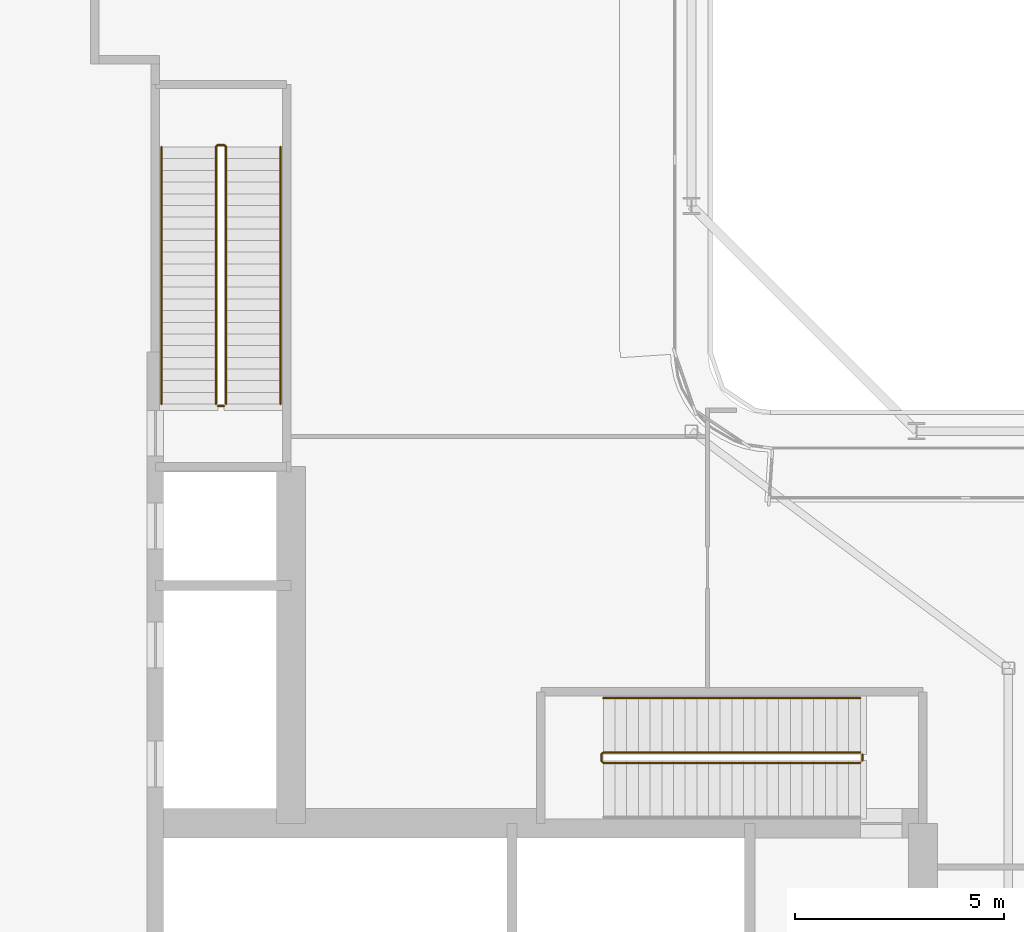
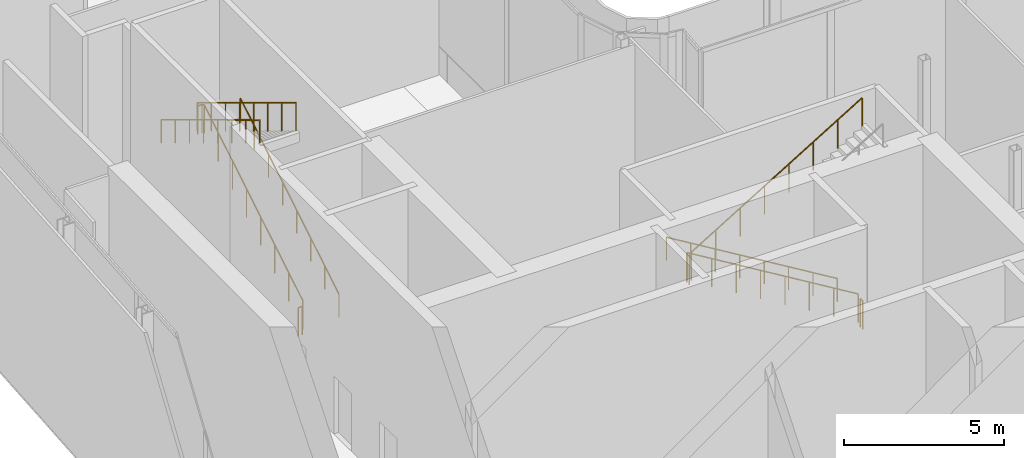
# One storey, part 33 of 38: 7 railings.
"""IFC4 building model written with IfcOpenShell, lengths in metres."""

from ifc_helpers import new_model, si_unit, direction, frame, origin, origin_2d, place, context, subcontext, project, spatial, circle, extrude, material, type_object, element, save


model = new_model("IFC4")

# Units and contexts
model_context = context("Model", 3, precision=1e-05, world=origin(), true_north=direction((0.0, 1.0)))
body_context = subcontext(model_context, "Body", "Model", "MODEL_VIEW")
ifc_project = project(units=[si_unit("LENGTHUNIT", "METRE"), si_unit("AREAUNIT", "SQUARE_METRE"), si_unit("VOLUMEUNIT", "CUBIC_METRE"), si_unit("PLANEANGLEUNIT", "RADIAN"), si_unit("MASSUNIT", "GRAM", prefix="KILO")], contexts=[model_context])

# Site, building, storey
site_placement = place(None, origin())
site = spatial("IfcSite", under=ifc_project, at=site_placement, CompositionType="ELEMENT")
building_placement = place(site_placement, origin())
building = spatial("IfcBuilding", under=site, at=building_placement, Name="Kheshtan School and Residences Tower", CompositionType="ELEMENT")
storey_placement = place(building_placement, frame((0.0, 0.0, 203.300048828125)))
storey = spatial("IfcBuildingStorey", under=building, at=storey_placement, Name="L48", CompositionType="ELEMENT", Elevation=203.300048828125)

# Railings
ifc_material_1 = material(Name="Stainless steel balustrade", Category="steel")
railing_type_1 = type_object("IfcRailingType", Name="Stair guard 1100", PredefinedType="GUARDRAIL", material=ifc_material_1)
railing_1_placement = place(storey_placement, frame((51.64990234375, 37.89990234375, 0.16943359375)))
element("IfcRailing", 1, at=railing_1_placement, inside=storey, type_object=railing_type_1, Name="L48 ST1 stair guard 1", PredefinedType="GUARDRAIL", context=body_context, shape_type="SweptSolid", body=[
    extrude(circle(Radius=0.02392578125, at=origin_2d()), frame((0.0, 0.0, 1.076171875), z_axis=(-0.855370820849, 0.0, 0.518016176234), x_axis=(0.0, -1.0, 0.0)), (0.0, 0.0, 1.0), 7.201416015625),
    extrude(circle(Radius=0.02392578125, at=origin_2d()), frame((-6.159912109375, 0.0, 4.806640625), z_axis=(-0.708833529934, -0.705375805398, 0.0), x_axis=(0.705375805398, -0.708833529934, 0.0)), (0.0, 0.0, 1.0), 0.070556640625),
    extrude(circle(Radius=0.02392578125, at=origin_2d()), frame((-6.2099609375, -0.0498046875, 4.806640625), z_axis=(0.0, -1.0, 0.0), x_axis=(1.0, 0.0, 0.0)), (0.0, 0.0, 1.0), 0.150146484375),
    extrude(circle(Radius=0.02392578125, at=origin_2d()), frame((-6.2099609375, -0.199951171875, 4.806640625), z_axis=(0.272228512635, -0.272228512635, 0.92292105503), x_axis=(0.707106781187, 0.707106781187, 0.0)), (0.0, 0.0, 1.0), 0.183837890625),
    extrude(circle(Radius=0.02392578125, at=origin_2d()), frame((-6.159912109375, -0.25, 4.97607421875), z_axis=(0.855370820849, 0.0, 0.518016176234), x_axis=(0.0, 1.0, 0.0)), (0.0, 0.0, 1.0), 7.201416015625),
    extrude(circle(Radius=0.02099609375, at=origin_2d()), origin(), (0.0, 0.0, 1.0), 1.052001953125),
    extrude(circle(Radius=0.02099609375, at=origin_2d()), frame((-0.8798828125, 0.0, 0.532958984375)), (0.0, 0.0, 1.0), 1.052001953125),
    extrude(circle(Radius=0.02099609375, at=origin_2d()), frame((-1.760009765625, 0.0, 1.06591796875)), (0.0, 0.0, 1.0), 1.052001953125),
    extrude(circle(Radius=0.02099609375, at=origin_2d()), frame((-2.639892578125, 0.0, 1.598876953125)), (0.0, 0.0, 1.0), 1.052001953125),
    extrude(circle(Radius=0.02099609375, at=origin_2d()), frame((-3.52001953125, 0.0, 2.131591796875)), (0.0, 0.0, 1.0), 1.052001953125),
    extrude(circle(Radius=0.02099609375, at=origin_2d()), frame((-4.39990234375, 0.0, 2.66455078125)), (0.0, 0.0, 1.0), 1.052001953125),
    extrude(circle(Radius=0.02099609375, at=origin_2d()), frame((-5.280029296875, 0.0, 3.197509765625)), (0.0, 0.0, 1.0), 1.052001953125),
    extrude(circle(Radius=0.02099609375, at=origin_2d()), frame((-6.159912109375, 0.0, 3.73046875)), (0.0, 0.0, 1.0), 1.052001953125),
    extrude(circle(Radius=0.02099609375, at=origin_2d()), frame((-6.2099609375, -0.0498046875, 3.73046875)), (0.0, 0.0, 1.0), 1.052001953125),
    extrude(circle(Radius=0.02099609375, at=origin_2d()), frame((-6.2099609375, -0.199951171875, 3.73046875)), (0.0, 0.0, 1.0), 1.052001953125),
    extrude(circle(Radius=0.02099609375, at=origin_2d()), frame((-6.159912109375, -0.25, 3.900146484375)), (0.0, 0.0, 1.0), 1.052001953125),
    extrude(circle(Radius=0.02099609375, at=origin_2d()), frame((-5.280029296875, -0.25, 4.43310546875)), (0.0, 0.0, 1.0), 1.052001953125),
    extrude(circle(Radius=0.02099609375, at=origin_2d()), frame((-4.39990234375, -0.25, 4.966064453125)), (0.0, 0.0, 1.0), 1.052001953125),
    extrude(circle(Radius=0.02099609375, at=origin_2d()), frame((-3.52001953125, -0.25, 5.4990234375)), (0.0, 0.0, 1.0), 1.052001953125),
    extrude(circle(Radius=0.02099609375, at=origin_2d()), frame((-2.639892578125, -0.25, 6.03173828125)), (0.0, 0.0, 1.0), 1.052001953125),
    extrude(circle(Radius=0.02099609375, at=origin_2d()), frame((-1.760009765625, -0.25, 6.564697265625)), (0.0, 0.0, 1.0), 1.052001953125),
    extrude(circle(Radius=0.02099609375, at=origin_2d()), frame((-0.8798828125, -0.25, 7.09765625)), (0.0, 0.0, 1.0), 1.052001953125),
    extrude(circle(Radius=0.02099609375, at=origin_2d()), frame((0.0, -0.25, 7.630615234375)), (0.0, 0.0, 1.0), 1.052001953125),
])
railing_2_placement = place(storey_placement, frame((51.699951171875, 37.85009765625, 0.0)))
element("IfcRailing", 2, at=railing_2_placement, inside=storey, type_object=railing_type_1, Name="L48 ST1 stair guard 2", PredefinedType="GUARDRAIL", context=body_context, shape_type="SweptSolid", body=[
    extrude(circle(Radius=0.02392578125, at=origin_2d()), frame((0.0, 0.0, 1.076171875), z_axis=(0.0, -1.0, 0.0), x_axis=(1.0, 0.0, 0.0)), (0.0, 0.0, 1.0), 0.150146484375),
    extrude(circle(Radius=0.02099609375, at=origin_2d()), origin(), (0.0, 0.0, 1.0), 1.052001953125),
    extrude(circle(Radius=0.02099609375, at=origin_2d()), frame((0.0, -0.150146484375, 0.0)), (0.0, 0.0, 1.0), 1.052001953125),
])
railing_3_placement = place(storey_placement, frame((36.449951171875, 46.25, 0.16943359375)))
element("IfcRailing", 3, at=railing_3_placement, inside=storey, type_object=railing_type_1, Name="L48 ST2 stair guard 1", PredefinedType="GUARDRAIL", context=body_context, shape_type="SweptSolid", body=[
    extrude(circle(Radius=0.02392578125, at=origin_2d()), frame((0.0, 0.0, 1.076171875), z_axis=(0.0, 0.855370820849, 0.518016176234), x_axis=(-1.0, 0.0, 0.0)), (0.0, 0.0, 1.0), 7.201416015625),
    extrude(circle(Radius=0.02392578125, at=origin_2d()), frame((0.0, 6.159912109375, 4.806640625), z_axis=(-0.707106781187, 0.707106781187, 0.0), x_axis=(-0.707106781187, -0.707106781187, 0.0)), (0.0, 0.0, 1.0), 0.07080078125),
    extrude(circle(Radius=0.02392578125, at=origin_2d()), frame((-0.050048828125, 6.2099609375, 4.806640625), z_axis=(-1.0, 0.0, 0.0), x_axis=(0.0, -1.0, 0.0)), (0.0, 0.0, 1.0), 0.14990234375),
    extrude(circle(Radius=0.02392578125, at=origin_2d()), frame((-0.199951171875, 6.2099609375, 4.806640625), z_axis=(-0.272228512635, -0.272228512635, 0.92292105503), x_axis=(0.707106781187, -0.707106781187, 0.0)), (0.0, 0.0, 1.0), 0.183837890625),
    extrude(circle(Radius=0.02392578125, at=origin_2d()), frame((-0.25, 6.159912109375, 4.97607421875), z_axis=(0.0, -0.855370820849, 0.518016176234), x_axis=(1.0, 0.0, 0.0)), (0.0, 0.0, 1.0), 7.201416015625),
    extrude(circle(Radius=0.02099609375, at=origin_2d()), origin(), (0.0, 0.0, 1.0), 1.052001953125),
    extrude(circle(Radius=0.02099609375, at=origin_2d()), frame((0.0, 0.8798828125, 0.532958984375)), (0.0, 0.0, 1.0), 1.052001953125),
    extrude(circle(Radius=0.02099609375, at=origin_2d()), frame((0.0, 1.760009765625, 1.06591796875)), (0.0, 0.0, 1.0), 1.052001953125),
    extrude(circle(Radius=0.02099609375, at=origin_2d()), frame((0.0, 2.639892578125, 1.598876953125)), (0.0, 0.0, 1.0), 1.052001953125),
    extrude(circle(Radius=0.02099609375, at=origin_2d()), frame((0.0, 3.52001953125, 2.131591796875)), (0.0, 0.0, 1.0), 1.052001953125),
    extrude(circle(Radius=0.02099609375, at=origin_2d()), frame((0.0, 4.39990234375, 2.66455078125)), (0.0, 0.0, 1.0), 1.052001953125),
    extrude(circle(Radius=0.02099609375, at=origin_2d()), frame((0.0, 5.280029296875, 3.197509765625)), (0.0, 0.0, 1.0), 1.052001953125),
    extrude(circle(Radius=0.02099609375, at=origin_2d()), frame((0.0, 6.159912109375, 3.73046875)), (0.0, 0.0, 1.0), 1.052001953125),
    extrude(circle(Radius=0.02099609375, at=origin_2d()), frame((-0.050048828125, 6.2099609375, 3.73046875)), (0.0, 0.0, 1.0), 1.052001953125),
    extrude(circle(Radius=0.02099609375, at=origin_2d()), frame((-0.199951171875, 6.2099609375, 3.73046875)), (0.0, 0.0, 1.0), 1.052001953125),
    extrude(circle(Radius=0.02099609375, at=origin_2d()), frame((-0.25, 6.159912109375, 3.900146484375)), (0.0, 0.0, 1.0), 1.052001953125),
    extrude(circle(Radius=0.02099609375, at=origin_2d()), frame((-0.25, 5.280029296875, 4.43310546875)), (0.0, 0.0, 1.0), 1.052001953125),
    extrude(circle(Radius=0.02099609375, at=origin_2d()), frame((-0.25, 4.39990234375, 4.966064453125)), (0.0, 0.0, 1.0), 1.052001953125),
    extrude(circle(Radius=0.02099609375, at=origin_2d()), frame((-0.25, 3.52001953125, 5.4990234375)), (0.0, 0.0, 1.0), 1.052001953125),
    extrude(circle(Radius=0.02099609375, at=origin_2d()), frame((-0.25, 2.639892578125, 6.03173828125)), (0.0, 0.0, 1.0), 1.052001953125),
    extrude(circle(Radius=0.02099609375, at=origin_2d()), frame((-0.25, 1.760009765625, 6.564697265625)), (0.0, 0.0, 1.0), 1.052001953125),
    extrude(circle(Radius=0.02099609375, at=origin_2d()), frame((-0.25, 0.8798828125, 7.09765625)), (0.0, 0.0, 1.0), 1.052001953125),
    extrude(circle(Radius=0.02099609375, at=origin_2d()), frame((-0.25, 0.0, 7.630615234375)), (0.0, 0.0, 1.0), 1.052001953125),
])
railing_4_placement = place(storey_placement, frame((36.39990234375, 46.199951171875, 0.0)))
element("IfcRailing", 4, at=railing_4_placement, inside=storey, type_object=railing_type_1, Name="L48 ST2 stair guard 2", PredefinedType="GUARDRAIL", context=body_context, shape_type="SweptSolid", body=[
    extrude(circle(Radius=0.02392578125, at=origin_2d()), frame((0.0, 0.0, 1.076171875), z_axis=(-1.0, 0.0, 0.0), x_axis=(0.0, -1.0, 0.0)), (0.0, 0.0, 1.0), 0.14990234375),
    extrude(circle(Radius=0.02099609375, at=origin_2d()), origin(), (0.0, 0.0, 1.0), 1.052001953125),
    extrude(circle(Radius=0.02099609375, at=origin_2d()), frame((-0.14990234375, 0.0, 0.0)), (0.0, 0.0, 1.0), 1.052001953125),
])
ifc_material_2 = material(Name="Stainless steel handrail", Category="steel")
railing_type_2 = type_object("IfcRailingType", Name="Stair handrail 900", PredefinedType="HANDRAIL", material=ifc_material_2)
railing_5_placement = place(storey_placement, frame((51.64990234375, 39.199951171875, 0.16943359375)))
element("IfcRailing", 5, at=railing_5_placement, inside=storey, type_object=railing_type_2, Name="L48 ST1 stair handrail 1", PredefinedType="HANDRAIL", context=body_context, shape_type="SweptSolid", body=[
    extrude(circle(Radius=0.02392578125, at=origin_2d()), frame((0.0, 0.0, 0.8759765625), z_axis=(-0.855370820849, 0.0, 0.518016176234), x_axis=(0.0, -1.0, 0.0)), (0.0, 0.0, 1.0), 7.201416015625),
    extrude(circle(Radius=0.02099609375, at=origin_2d()), origin(), (0.0, 0.0, 1.0), 0.851806640625),
    extrude(circle(Radius=0.02099609375, at=origin_2d()), frame((-0.8798828125, 0.0, 0.532958984375)), (0.0, 0.0, 1.0), 0.851806640625),
    extrude(circle(Radius=0.02099609375, at=origin_2d()), frame((-1.760009765625, 0.0, 1.06591796875)), (0.0, 0.0, 1.0), 0.851806640625),
    extrude(circle(Radius=0.02099609375, at=origin_2d()), frame((-2.639892578125, 0.0, 1.598876953125)), (0.0, 0.0, 1.0), 0.851806640625),
    extrude(circle(Radius=0.02099609375, at=origin_2d()), frame((-3.52001953125, 0.0, 2.131591796875)), (0.0, 0.0, 1.0), 0.851806640625),
    extrude(circle(Radius=0.02099609375, at=origin_2d()), frame((-4.39990234375, 0.0, 2.66455078125)), (0.0, 0.0, 1.0), 0.851806640625),
    extrude(circle(Radius=0.02099609375, at=origin_2d()), frame((-5.280029296875, 0.0, 3.197509765625)), (0.0, 0.0, 1.0), 0.851806640625),
    extrude(circle(Radius=0.02099609375, at=origin_2d()), frame((-6.159912109375, 0.0, 3.73046875)), (0.0, 0.0, 1.0), 0.851806640625),
])
railing_6_placement = place(storey_placement, frame((37.75, 46.25, 0.16943359375)))
element("IfcRailing", 6, at=railing_6_placement, inside=storey, type_object=railing_type_2, Name="L48 ST2 stair handrail 1", PredefinedType="HANDRAIL", context=body_context, shape_type="SweptSolid", body=[
    extrude(circle(Radius=0.02392578125, at=origin_2d()), frame((0.0, 0.0, 0.8759765625), z_axis=(0.0, 0.855370820849, 0.518016176234), x_axis=(-1.0, 0.0, 0.0)), (0.0, 0.0, 1.0), 7.201416015625),
    extrude(circle(Radius=0.02099609375, at=origin_2d()), origin(), (0.0, 0.0, 1.0), 0.851806640625),
    extrude(circle(Radius=0.02099609375, at=origin_2d()), frame((0.0, 0.8798828125, 0.532958984375)), (0.0, 0.0, 1.0), 0.851806640625),
    extrude(circle(Radius=0.02099609375, at=origin_2d()), frame((0.0, 1.760009765625, 1.06591796875)), (0.0, 0.0, 1.0), 0.851806640625),
    extrude(circle(Radius=0.02099609375, at=origin_2d()), frame((0.0, 2.639892578125, 1.598876953125)), (0.0, 0.0, 1.0), 0.851806640625),
    extrude(circle(Radius=0.02099609375, at=origin_2d()), frame((0.0, 3.52001953125, 2.131591796875)), (0.0, 0.0, 1.0), 0.851806640625),
    extrude(circle(Radius=0.02099609375, at=origin_2d()), frame((0.0, 4.39990234375, 2.66455078125)), (0.0, 0.0, 1.0), 0.851806640625),
    extrude(circle(Radius=0.02099609375, at=origin_2d()), frame((0.0, 5.280029296875, 3.197509765625)), (0.0, 0.0, 1.0), 0.851806640625),
    extrude(circle(Radius=0.02099609375, at=origin_2d()), frame((0.0, 6.159912109375, 3.73046875)), (0.0, 0.0, 1.0), 0.851806640625),
])
railing_7_placement = place(storey_placement, frame((34.89990234375, 52.409912109375, 4.069580078125)))
element("IfcRailing", 7, at=railing_7_placement, inside=storey, type_object=railing_type_2, Name="L48 ST2 stair handrail 2", PredefinedType="HANDRAIL", context=body_context, shape_type="SweptSolid", body=[
    extrude(circle(Radius=0.02392578125, at=origin_2d()), frame((0.0, 0.0, 0.8759765625), z_axis=(0.0, -0.855370820849, 0.518016176234), x_axis=(1.0, 0.0, 0.0)), (0.0, 0.0, 1.0), 7.201416015625),
    extrude(circle(Radius=0.02099609375, at=origin_2d()), origin(), (0.0, 0.0, 1.0), 0.851806640625),
    extrude(circle(Radius=0.02099609375, at=origin_2d()), frame((0.0, -0.8798828125, 0.532958984375)), (0.0, 0.0, 1.0), 0.851806640625),
    extrude(circle(Radius=0.02099609375, at=origin_2d()), frame((0.0, -1.760009765625, 1.06591796875)), (0.0, 0.0, 1.0), 0.851806640625),
    extrude(circle(Radius=0.02099609375, at=origin_2d()), frame((0.0, -2.639892578125, 1.598876953125)), (0.0, 0.0, 1.0), 0.851806640625),
    extrude(circle(Radius=0.02099609375, at=origin_2d()), frame((0.0, -3.52001953125, 2.131591796875)), (0.0, 0.0, 1.0), 0.851806640625),
    extrude(circle(Radius=0.02099609375, at=origin_2d()), frame((0.0, -4.39990234375, 2.66455078125)), (0.0, 0.0, 1.0), 0.851806640625),
    extrude(circle(Radius=0.02099609375, at=origin_2d()), frame((0.0, -5.280029296875, 3.197509765625)), (0.0, 0.0, 1.0), 0.851806640625),
    extrude(circle(Radius=0.02099609375, at=origin_2d()), frame((0.0, -6.159912109375, 3.73046875)), (0.0, 0.0, 1.0), 0.851806640625),
])

save(model, "model.ifc")
